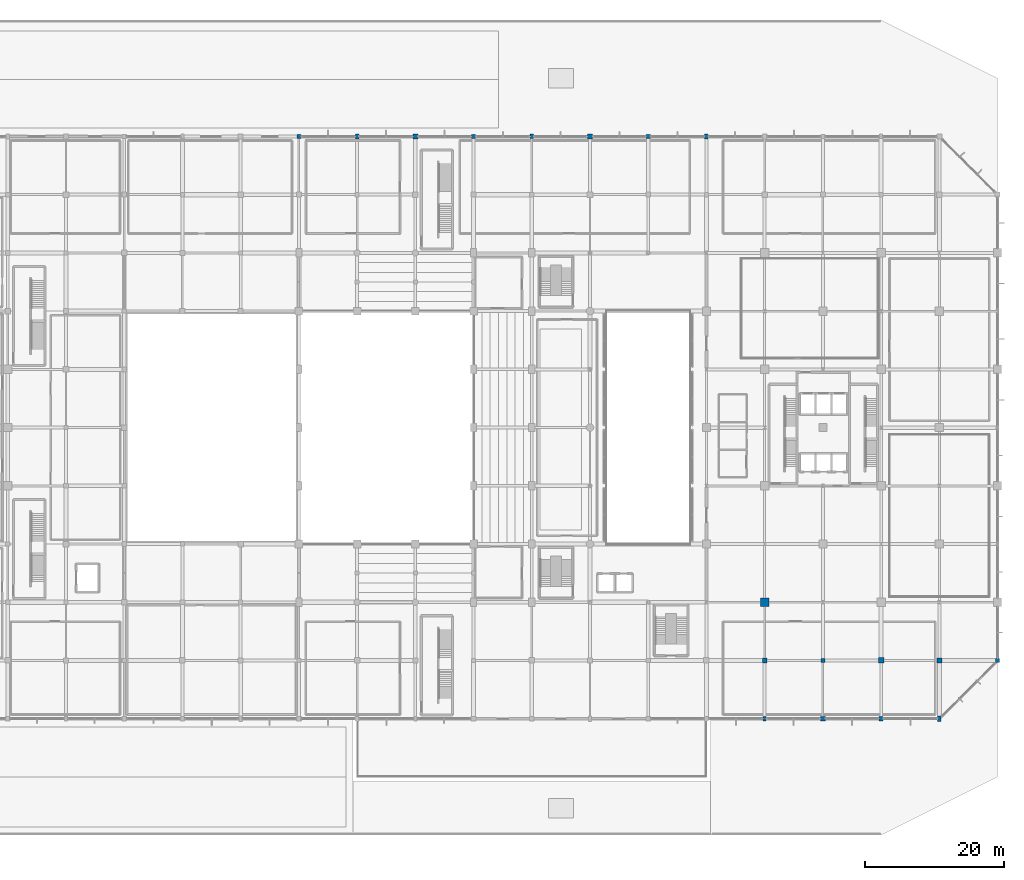
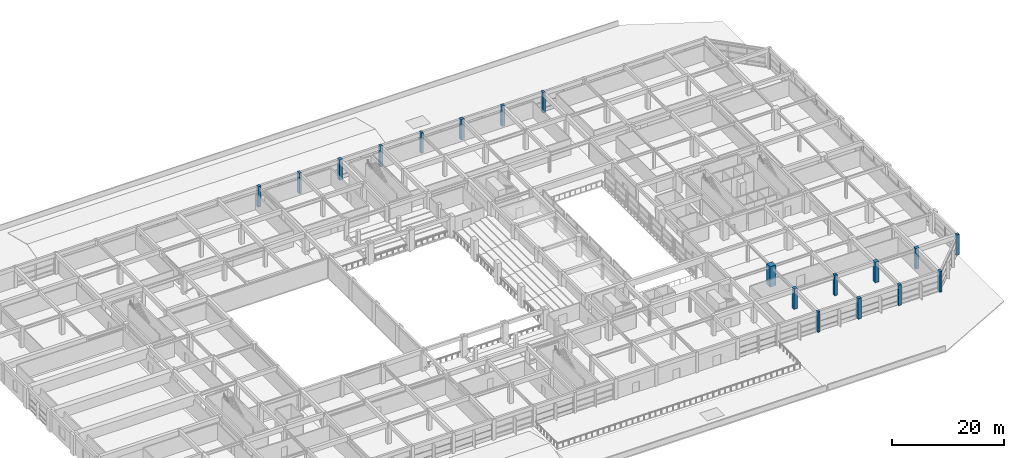
# One storey, part 5 of 60: 18 columns.
"""IFC4 building model written with IfcOpenShell, lengths in metres."""

from ifc_helpers import new_model, si_unit, direction, frame, origin, origin_2d, place, context, subcontext, project, spatial, rectangle, extrude, material, material_profile, profile_set, type_object, element, save


model = new_model("IFC4")

# Units and contexts
model_context = context("Model", 3, precision=1e-05, world=origin(), true_north=direction((0.0, 1.0)))
body_context = subcontext(model_context, "Body", "Model", "MODEL_VIEW")
ifc_project = project(units=[si_unit("LENGTHUNIT", "METRE"), si_unit("AREAUNIT", "SQUARE_METRE"), si_unit("VOLUMEUNIT", "CUBIC_METRE"), si_unit("PLANEANGLEUNIT", "RADIAN"), si_unit("MASSUNIT", "GRAM", prefix="KILO")], contexts=[model_context])

# Site, building, storey
site_placement = place(None, origin())
site = spatial("IfcSite", under=ifc_project, at=site_placement, CompositionType="ELEMENT")
building_placement = place(site_placement, origin())
building = spatial("IfcBuilding", under=site, at=building_placement, Name="Xuanlan Plaza Opera House", CompositionType="ELEMENT")
storey_placement = place(building_placement, frame((0.0, 0.0, 9.89990234375)))
storey = spatial("IfcBuildingStorey", under=building, at=storey_placement, Name="L02", CompositionType="ELEMENT", Elevation=9.89990234375)

# Columns
ifc_material_1 = material(Name="Concrete C60", Category="concrete")
ifc_material_profile_1 = material_profile(ifc_material_1, rectangle(XDim=1.199951171875, YDim=1.199951171875, at=origin_2d()), Name="RC-COL 1200x1200")
ifc_profile_set_1 = profile_set([ifc_material_profile_1], Name="Concrete C60")
column_type_1 = type_object("IfcColumnType", Name="STR-COL-C-02", PredefinedType="COLUMN", material=ifc_profile_set_1)
column_1_placement = place(storey_placement, frame((134.39990234375, 33.60009765625, 0.0), z_axis=(0.0, 0.0, 1.0), x_axis=(1.0, 0.0, 0.0)))
element("IfcColumn", 1, at=column_1_placement, inside=storey, type_object=column_type_1, Name="Column L02 17-E", PredefinedType="COLUMN", context=body_context, shape_type="SweptSolid", body=[
    extrude(rectangle(XDim=1.199951171875, YDim=1.199951171875, at=origin_2d()), origin(), (0.0, 0.0, 1.0), 4.5),
])
ifc_material_2 = material(Name="Concrete C40", Category="concrete")
ifc_material_profile_2 = material_profile(ifc_material_2, rectangle(XDim=0.800048828125, YDim=0.800048828125, at=origin_2d()), Name="RC-COL 800x800")
ifc_profile_set_2 = profile_set([ifc_material_profile_2], Name="Concrete C40")
column_type_2 = type_object("IfcColumnType", Name="STR-COL-C-06", PredefinedType="COLUMN", material=ifc_profile_set_2)
column_2_placement = place(storey_placement, frame((151.199951171875, 25.199951171875, 0.0), z_axis=(0.0, 0.0, 1.0), x_axis=(1.0, 0.0, 0.0)))
element("IfcColumn", 2, at=column_2_placement, inside=storey, type_object=column_type_2, Name="Column L02 19-D", PredefinedType="COLUMN", context=body_context, shape_type="SweptSolid", body=[
    extrude(rectangle(XDim=0.800048828125, YDim=0.800048828125, at=origin_2d()), origin(), (0.0, 0.0, 1.0), 4.5),
])
ifc_material_profile_3 = material_profile(ifc_material_2, rectangle(XDim=0.699951171875, YDim=0.699951171875, at=origin_2d()), Name="RC-COL 700x700")
ifc_profile_set_3 = profile_set([ifc_material_profile_3], Name="Concrete C40")
column_type_3 = type_object("IfcColumnType", Name="STR-COL-C-07", PredefinedType="COLUMN", material=ifc_profile_set_3)
for number, where, z_axis, x_axis, name in (
    (3, (84.0, 100.800048828125, 0.0), (0.0, 0.0, 1.0), (1.0, 0.0, 0.0), "Column L02 11-M"),
    (4, (109.199951171875, 100.800048828125, 0.0), (0.0, 0.0, 1.0), (1.0, 0.0, 0.0), "Column L02 14-M"),
    (5, (134.39990234375, 25.199951171875, 0.0), (0.0, 0.0, 1.0), (1.0, 0.0, 0.0), "Column L02 17-D"),
    (6, (142.800048828125, 16.800048828125, 0.0), (0.0, 0.0, 1.0), (1.0, 0.0, 0.0), "Column L02 18-C"),
    (7, (159.60009765625, 25.199951171875, 0.0), (0.0, 0.0, 1.0), (1.0, 0.0, 0.0), "Column L02 20-D"),
):
    element("IfcColumn", number, at=place(storey_placement, frame(where, z_axis=z_axis, x_axis=x_axis)), inside=storey, type_object=column_type_3, Name=name, PredefinedType="COLUMN", context=body_context, shape_type="SweptSolid", body=[
        extrude(rectangle(XDim=0.699951171875, YDim=0.699951171875, at=origin_2d()), origin(), (0.0, 0.0, 1.0), 4.5),
    ])
ifc_material_profile_4 = material_profile(ifc_material_2, rectangle(XDim=0.60009765625, YDim=0.60009765625, at=origin_2d()), Name="RC-COL 600x600")
ifc_profile_set_4 = profile_set([ifc_material_profile_4], Name="Concrete C40")
column_type_4 = type_object("IfcColumnType", Name="STR-COL-C-08", PredefinedType="COLUMN", material=ifc_profile_set_4)
for number, where, z_axis, x_axis, name in (
    (8, (67.199951171875, 100.800048828125, 0.0), (0.0, 0.0, 1.0), (1.0, 0.0, 0.0), "Column L02 9-M"),
    (9, (92.39990234375, 100.800048828125, 0.0), (0.0, 0.0, 1.0), (1.0, 0.0, 0.0), "Column L02 12-M"),
    (10, (117.60009765625, 100.800048828125, 0.0), (0.0, 0.0, 1.0), (1.0, 0.0, 0.0), "Column L02 15-M"),
    (11, (142.800048828125, 25.199951171875, 0.0), (0.0, 0.0, 1.0), (1.0, 0.0, 0.0), "Column L02 18-D"),
    (12, (151.199951171875, 16.800048828125, 0.0), (0.0, 0.0, 1.0), (1.0, 0.0, 0.0), "Column L02 19-C"),
    (13, (168.0, 25.199951171875, 0.0), (0.0, 0.0, 1.0), (1.0, 0.0, 0.0), "Column L02 21-D"),
):
    element("IfcColumn", number, at=place(storey_placement, frame(where, z_axis=z_axis, x_axis=x_axis)), inside=storey, type_object=column_type_4, Name=name, PredefinedType="COLUMN", context=body_context, shape_type="SweptSolid", body=[
        extrude(rectangle(XDim=0.60009765625, YDim=0.60009765625, at=origin_2d()), origin(), (0.0, 0.0, 1.0), 4.5),
    ])
ifc_material_profile_5 = material_profile(ifc_material_2, rectangle(XDim=0.449951171875, YDim=0.64990234375, at=origin_2d()), Name="RC-PIL 450x650")
ifc_profile_set_5 = profile_set([ifc_material_profile_5], Name="Concrete C40")
column_type_5 = type_object("IfcColumnType", Name="STR-COL-PL-01", PredefinedType="PILASTER", material=ifc_profile_set_5)
for number, where, z_axis, x_axis, name in (
    (14, (100.800048828125, 100.800048828125, 0.0), (0.0, 0.0, 1.0), (1.0, 0.0, 0.0), "Column L02 13-M"),
    (15, (134.39990234375, 16.800048828125, 0.0), (0.0, 0.0, 1.0), (1.0, 0.0, 0.0), "Column L02 17-C"),
):
    element("IfcColumn", number, at=place(storey_placement, frame(where, z_axis=z_axis, x_axis=x_axis)), inside=storey, type_object=column_type_5, Name=name, PredefinedType="PILASTER", context=body_context, shape_type="SweptSolid", body=[
        extrude(rectangle(XDim=0.449951171875, YDim=0.64990234375, at=origin_2d()), origin(), (0.0, 0.0, 1.0), 4.5),
    ])
ifc_material_profile_6 = material_profile(ifc_material_2, rectangle(XDim=0.5, YDim=0.75, at=origin_2d()), Name="RC-PIL 500x750")
ifc_profile_set_6 = profile_set([ifc_material_profile_6], Name="Concrete C40")
column_type_6 = type_object("IfcColumnType", Name="STR-COL-PL-02", PredefinedType="PILASTER", material=ifc_profile_set_6)
for number, where, z_axis, x_axis, name in (
    (16, (75.60009765625, 100.800048828125, 0.0), (0.0, 0.0, 1.0), (1.0, 0.0, 0.0), "Column L02 10-M"),
    (17, (126.0, 100.800048828125, 0.0), (0.0, 0.0, 1.0), (1.0, 0.0, 0.0), "Column L02 16-M"),
    (18, (159.60009765625, 16.800048828125, 0.0), (0.0, 0.0, 1.0), (1.0, 0.0, 0.0), "Column L02 20-C"),
):
    element("IfcColumn", number, at=place(storey_placement, frame(where, z_axis=z_axis, x_axis=x_axis)), inside=storey, type_object=column_type_6, Name=name, PredefinedType="PILASTER", context=body_context, shape_type="SweptSolid", body=[
        extrude(rectangle(XDim=0.5, YDim=0.75, at=origin_2d()), origin(), (0.0, 0.0, 1.0), 4.5),
    ])

save(model, "model.ifc")
